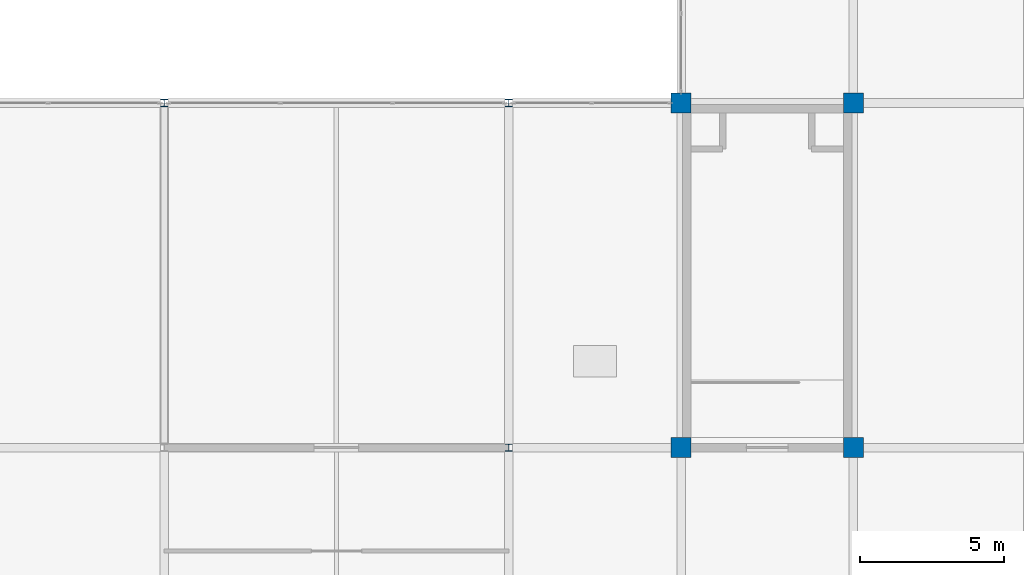
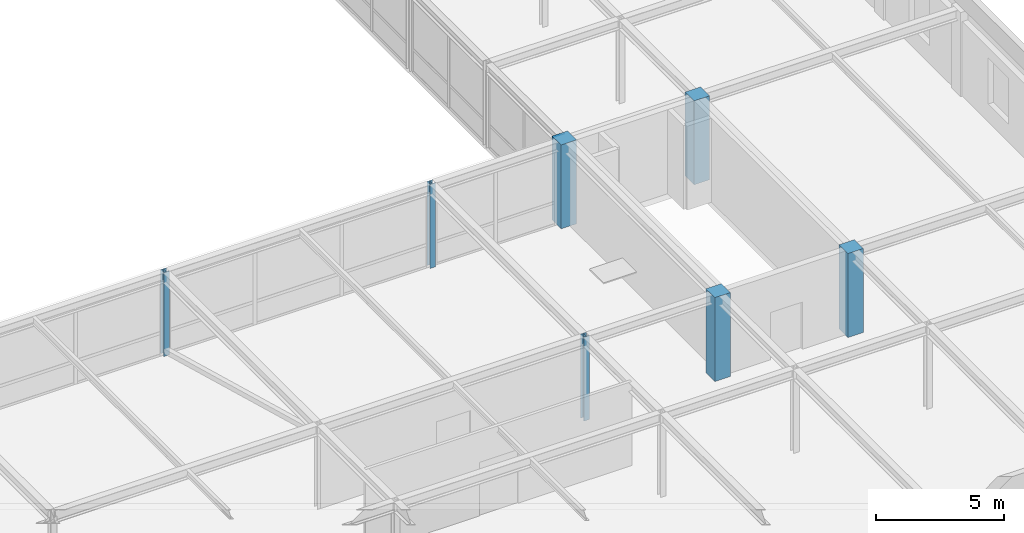
# One storey, part 22 of 111: 7 columns.
"""IFC4 building model written with IfcOpenShell, lengths in metres."""

from ifc_helpers import new_model, si_unit, direction, frame, origin, origin_2d, place, context, subcontext, project, spatial, rectangle, i_section, extrude, material, material_profile, profile_set, type_object, element, save


model = new_model("IFC4")

# Units and contexts
model_context = context("Model", 3, precision=1e-05, world=origin(), true_north=direction((0.0, 1.0)))
body_context = subcontext(model_context, "Body", "Model", "MODEL_VIEW")
ifc_project = project(units=[si_unit("LENGTHUNIT", "METRE"), si_unit("AREAUNIT", "SQUARE_METRE"), si_unit("VOLUMEUNIT", "CUBIC_METRE"), si_unit("PLANEANGLEUNIT", "RADIAN"), si_unit("MASSUNIT", "GRAM", prefix="KILO")], contexts=[model_context])

# Site, building, storey
site_placement = place(None, origin())
site = spatial("IfcSite", under=ifc_project, at=site_placement, CompositionType="ELEMENT")
building_placement = place(site_placement, origin())
building = spatial("IfcBuilding", under=site, at=building_placement, Name="Zlatovratsky Civic Hall", CompositionType="ELEMENT")
storey_placement = place(building_placement, frame((0.0, 0.0, 16.5)))
storey = spatial("IfcBuildingStorey", under=building, at=storey_placement, Name="L04", CompositionType="ELEMENT", Elevation=16.5)

# Columns
ifc_material_1 = material(Name="Concrete C35/45 (B40)", Category="concrete")
ifc_material_profile_1 = material_profile(ifc_material_1, rectangle(XDim=0.699951171875, YDim=0.699951171875, at=origin_2d()), Name="RC 700x700")
ifc_profile_set_1 = profile_set([ifc_material_profile_1], Name="Concrete C35/45 (B40)")
column_type_1 = type_object("IfcColumnType", Name="Col_CorePier_RC700", PredefinedType="COLUMN", material=ifc_profile_set_1)
for number, where, z_axis, x_axis, name in (
    (1, (150.0, 18.0, 0.0), (0.0, 0.0, 1.0), (1.0, 0.0, 0.0), "CL-1608"),
    (2, (156.0, 18.0, 0.0), (0.0, 0.0, 1.0), (1.0, 0.0, 0.0), "CL-1609"),
    (3, (150.0, 30.0, 0.0), (0.0, 0.0, 1.0), (1.0, 0.0, 0.0), "CL-1628"),
    (4, (156.0, 30.0, 0.0), (0.0, 0.0, 1.0), (1.0, 0.0, 0.0), "CL-1629"),
):
    element("IfcColumn", number, at=place(storey_placement, frame(where, z_axis=z_axis, x_axis=x_axis)), inside=storey, type_object=column_type_1, Name=name, PredefinedType="COLUMN", context=body_context, shape_type="SweptSolid", body=[
        extrude(rectangle(XDim=0.699951171875, YDim=0.699951171875, at=origin_2d()), origin(), (0.0, 0.0, 1.0), 4.0),
    ])
ifc_material_2 = material(Name="Steel S355", Category="steel")
ifc_material_profile_2 = material_profile(ifc_material_2, i_section(OverallWidth=0.25, OverallDepth=0.25, WebThickness=0.009033203125, FlangeThickness=0.013916015625, FilletRadius=0.01611328125, at=origin_2d()), Name="25K2")
ifc_profile_set_2 = profile_set([ifc_material_profile_2], Name="Steel S355")
column_type_2 = type_object("IfcColumnType", Name="Col_Steel_25K2", PredefinedType="COLUMN", material=ifc_profile_set_2)
for number, where, z_axis, x_axis, name in (
    (5, (144.0, 18.0, 0.0), (0.0, 0.0, 1.0), (1.0, 0.0, 0.0), "CL-1607"),
    (6, (132.0, 30.0, 0.0), (0.0, 0.0, 1.0), (1.0, 0.0, 0.0), "CL-1626"),
    (7, (144.0, 30.0, 0.0), (0.0, 0.0, 1.0), (1.0, 0.0, 0.0), "CL-1627"),
):
    element("IfcColumn", number, at=place(storey_placement, frame(where, z_axis=z_axis, x_axis=x_axis)), inside=storey, type_object=column_type_2, Name=name, PredefinedType="COLUMN", context=body_context, shape_type="SweptSolid", body=[
        extrude(i_section(OverallWidth=0.25, OverallDepth=0.25, WebThickness=0.009033203125, FlangeThickness=0.013916015625, FilletRadius=0.01611328125, at=origin_2d()), origin(), (0.0, 0.0, 1.0), 4.0),
    ])

save(model, "model.ifc")
